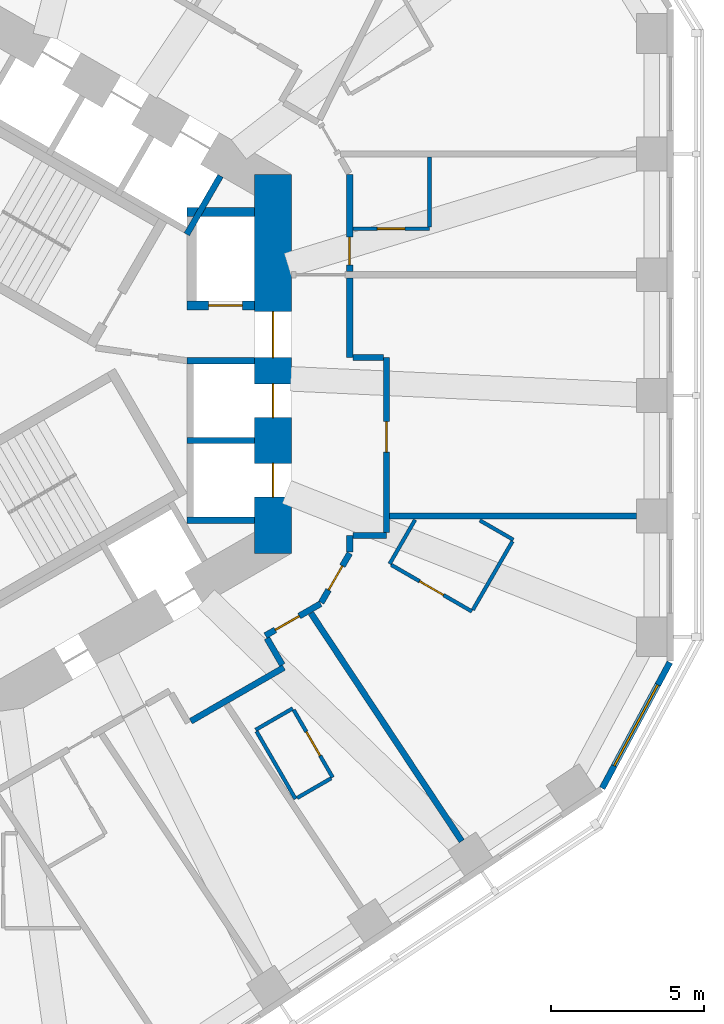
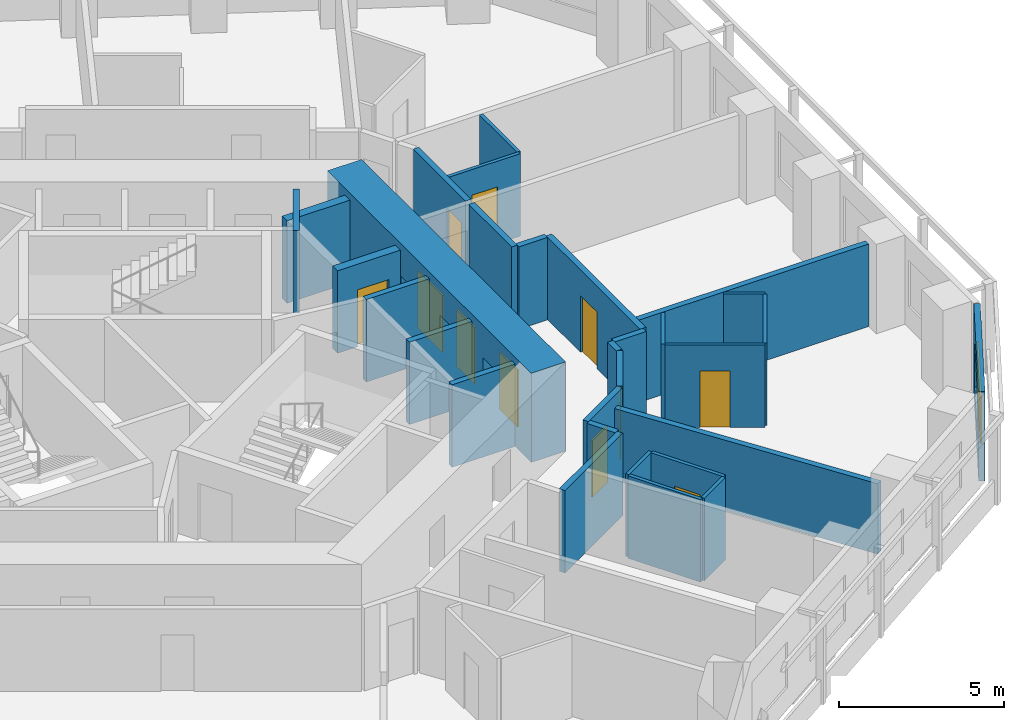
# One storey, part 6 of 12: 30 walls, 11 doors, 1 window, 12 openings.
"""IFC4 building model written with IfcOpenShell, lengths in metres."""

from ifc_helpers import new_model, si_unit, direction, frame, frame_2d, origin, place, context, subcontext, project, spatial, rectangle, extrude, material, layer, layer_set, type_object, element, fill, save


model = new_model("IFC4")

# Units and contexts
model_context = context("Model", 3, precision=1e-05, world=origin(), true_north=direction((0.0, 1.0)))
body_context = subcontext(model_context, "Body", "Model", "MODEL_VIEW")
ifc_project = project(units=[si_unit("LENGTHUNIT", "METRE"), si_unit("AREAUNIT", "SQUARE_METRE"), si_unit("VOLUMEUNIT", "CUBIC_METRE"), si_unit("PLANEANGLEUNIT", "RADIAN"), si_unit("MASSUNIT", "GRAM", prefix="KILO")], contexts=[model_context])

# Site, building, storey
site_placement = place(None, origin())
site = spatial("IfcSite", under=ifc_project, at=site_placement, CompositionType="ELEMENT")
building_placement = place(site_placement, origin())
building = spatial("IfcBuilding", under=site, at=building_placement, Name="Vanh Sen Convention Tower", CompositionType="ELEMENT")
storey_placement = place(building_placement, frame((0.0, 0.0, 113.300048828125)))
storey = spatial("IfcBuildingStorey", under=building, at=storey_placement, Name="L27", CompositionType="ELEMENT", Elevation=113.300048828125)

# Wall
ifc_material_1 = material(Name="Moisture-resistant gypsum board on steel studs", Category="steel")
ifc_layer_1 = layer(ifc_material_1, 0.1201171875)
ifc_layer_set_1 = layer_set([ifc_layer_1], Name="Moisture-resistant gypsum board on steel studs")
wall_type_1 = type_object("IfcWallType", Name="Bathroom partition 120", PredefinedType="PARTITIONING", material=ifc_layer_set_1)
wall_1_placement = place(storey_placement, frame((9.532470703125, -11.93359375, 0.0), z_axis=(0.0, 0.0, 1.0), x_axis=(0.866034573852, 0.49998411664, 0.0)))
element("IfcWall", 1, at=wall_1_placement, inside=storey, type_object=wall_type_1, Name="Bathroom partition 120", PredefinedType="PARTITIONING", context=body_context, shape_type="SweptSolid", body=[
    extrude(rectangle(XDim=1.39990234375, YDim=0.1201171875, at=frame_2d((0.699951171875, 0.0))), origin(), (0.0, 0.0, 1.0), 3.050048828125),
])

# Wall, opening, door
wall_2_placement = place(storey_placement, frame((10.77490234375, -11.28564453125, 0.0), z_axis=(0.0, 0.0, 1.0), x_axis=(0.500046963369, -0.865998287773, 0.0)))
wall_2 = element("IfcWall", 2, at=wall_2_placement, inside=storey, type_object=wall_type_1, Name="Bathroom partition 120", PredefinedType="PARTITIONING", context=body_context, shape_type="SweptSolid", body=[
    extrude(rectangle(XDim=2.539794921875, YDim=0.1201171875, at=frame_2d((1.27001953125, 0.0))), origin(), (0.0, 0.0, 1.0), 3.050048828125),
])
opening_1_placement = place(wall_2_placement, frame((0.820068359375, 0.0, 0.0)))
opening_1 = element("IfcOpeningElement", 3, at=opening_1_placement, cuts=wall_2, Name="Opening D27130", PredefinedType="OPENING", context=body_context, shape_type="SweptSolid", body=[
    extrude(rectangle(XDim=0.89990234375, YDim=2.10009765625, at=frame_2d((0.449951171875, 1.050048828125))), frame((0.0, 0.070068359375, 0.0), z_axis=(0.0, -1.0, 0.0), x_axis=(1.0, 0.0, 0.0)), (0.0, 0.0, 1.0), 0.14013671875),
])
ifc_material_2 = material(Name="Laminate door in steel frame", Category="steel")
door_type_1 = type_object("IfcDoorType", Name="En-suite door 900", OperationType="SINGLE_SWING_LEFT", PredefinedType="DOOR", material=ifc_material_2)
door_1_placement = place(opening_1_placement, origin())
door_1 = element("IfcDoor", 4, at=door_1_placement, inside=storey, type_object=door_type_1, Name="En-suite door D27130", OperationType="SINGLE_SWING_LEFT", OverallHeight=2.10009765625, OverallWidth=0.89990234375, PredefinedType="DOOR", context=body_context, shape_type="SweptSolid", body=[
    extrude(rectangle(XDim=0.89990234375, YDim=2.10009765625, at=frame_2d((0.449951171875, 1.050048828125))), frame((0.0, 0.02490234375, 0.0), z_axis=(0.0, -1.0, 0.0), x_axis=(1.0, 0.0, 0.0)), (0.0, 0.0, 1.0), 0.050048828125),
])
fill(opening_1, door_1)

# Walls
wall_3_placement = place(storey_placement, frame((10.83251953125, -14.185302734375, 0.0), z_axis=(0.0, 0.0, 1.0), x_axis=(-0.500005339912, 0.866022320763, 0.0)))
element("IfcWall", 5, at=wall_3_placement, inside=storey, type_object=wall_type_1, Name="Bathroom partition 120", PredefinedType="PARTITIONING", context=body_context, shape_type="SweptSolid", body=[
    extrude(rectangle(XDim=2.5400390625, YDim=0.1201171875, at=frame_2d((1.27001953125, 0.0))), origin(), (0.0, 0.0, 1.0), 3.050048828125),
])
wall_4_placement = place(storey_placement, frame((11.992919921875, -13.51513671875, 0.0), z_axis=(0.0, 0.0, 1.0), x_axis=(-0.865956862152, -0.500118698802, 0.0)))
element("IfcWall", 6, at=wall_4_placement, inside=storey, type_object=wall_type_1, Name="Bathroom partition 120", PredefinedType="PARTITIONING", context=body_context, shape_type="SweptSolid", body=[
    extrude(rectangle(XDim=1.280029296875, YDim=0.1201171875, at=frame_2d((0.64013671875, 0.0))), origin(), (0.0, 0.0, 1.0), 3.050048828125),
])
wall_5_placement = place(storey_placement, frame((13.90087890625, -6.5244140625, 0.0), z_axis=(0.0, 0.0, 1.0), x_axis=(0.499964162598, 0.86604609353, 0.0)))
element("IfcWall", 7, at=wall_5_placement, inside=storey, type_object=wall_type_1, Name="Bathroom partition 120", PredefinedType="PARTITIONING", context=body_context, shape_type="SweptSolid", body=[
    extrude(rectangle(XDim=1.6611328125, YDim=0.1201171875, at=frame_2d((0.83056640625, 0.0))), origin(), (0.0, 0.0, 1.0), 3.050048828125),
])

# Wall, opening, door
wall_6_placement = place(storey_placement, frame((15.199951171875, 4.404541015625, 0.0), z_axis=(0.0, 0.0, 1.0), x_axis=(-1.0, 0.0, 0.0)))
wall_6 = element("IfcWall", 8, at=wall_6_placement, inside=storey, type_object=wall_type_1, Name="Bathroom partition 120", PredefinedType="PARTITIONING", context=body_context, shape_type="SweptSolid", body=[
    extrude(rectangle(XDim=2.5, YDim=0.1201171875, at=frame_2d((1.25, 0.0))), origin(), (0.0, 0.0, 1.0), 3.050048828125),
])
opening_2_placement = place(wall_6_placement, frame((0.800048828125, 0.0, 0.0)))
opening_2 = element("IfcOpeningElement", 9, at=opening_2_placement, cuts=wall_6, Name="Opening D27103", PredefinedType="OPENING", context=body_context, shape_type="SweptSolid", body=[
    extrude(rectangle(XDim=0.89990234375, YDim=2.10009765625, at=frame_2d((0.449951171875, 1.050048828125))), frame((0.0, 0.070068359375, 0.0), z_axis=(0.0, -1.0, 0.0), x_axis=(1.0, 0.0, 0.0)), (0.0, 0.0, 1.0), 0.14013671875),
])
door_2_placement = place(opening_2_placement, origin())
door_2 = element("IfcDoor", 10, at=door_2_placement, inside=storey, type_object=door_type_1, Name="En-suite door D27103", OperationType="SINGLE_SWING_LEFT", OverallHeight=2.10009765625, OverallWidth=0.89990234375, PredefinedType="DOOR", context=body_context, shape_type="SweptSolid", body=[
    extrude(rectangle(XDim=0.89990234375, YDim=2.10009765625, at=frame_2d((0.449951171875, 1.050048828125))), frame((0.0, 0.02490234375, 0.0), z_axis=(0.0, -1.0, 0.0), x_axis=(1.0, 0.0, 0.0)), (0.0, 0.0, 1.0), 0.050048828125),
])
fill(opening_2, door_2)

# Wall
wall_7_placement = place(storey_placement, frame((15.199951171875, 6.739013671875, 0.0), z_axis=(0.0, 0.0, 1.0), x_axis=(0.0, -1.0, 0.0)))
element("IfcWall", 11, at=wall_7_placement, inside=storey, type_object=wall_type_1, Name="Bathroom partition 120", PredefinedType="PARTITIONING", context=body_context, shape_type="SweptSolid", body=[
    extrude(rectangle(XDim=2.2744140625, YDim=0.1201171875, at=frame_2d((1.13720703125, 0.0))), origin(), (0.0, 0.0, 1.0), 3.050048828125),
])

# Wall, opening, door
wall_8_placement = place(storey_placement, frame((16.58544921875, -8.074462890625, 0.0), z_axis=(0.0, 0.0, 1.0), x_axis=(-0.86601037836, 0.500026023896, 0.0)))
wall_8 = element("IfcWall", 12, at=wall_8_placement, inside=storey, type_object=wall_type_1, Name="Bathroom partition 120", PredefinedType="PARTITIONING", context=body_context, shape_type="SweptSolid", body=[
    extrude(rectangle(XDim=3.039794921875, YDim=0.1201171875, at=frame_2d((1.52001953125, 0.0))), origin(), (0.0, 0.0, 1.0), 3.050048828125),
])
opening_3_placement = place(wall_8_placement, frame((1.070068359375, 0.0, 0.0)))
opening_3 = element("IfcOpeningElement", 13, at=opening_3_placement, cuts=wall_8, Name="Opening D27132", PredefinedType="OPENING", context=body_context, shape_type="SweptSolid", body=[
    extrude(rectangle(XDim=0.89990234375, YDim=2.10009765625, at=frame_2d((0.449951171875, 1.050048828125))), frame((0.0, 0.070068359375, 0.0), z_axis=(0.0, -1.0, 0.0), x_axis=(1.0, 0.0, 0.0)), (0.0, 0.0, 1.0), 0.14013671875),
])
door_3_placement = place(opening_3_placement, origin())
door_3 = element("IfcDoor", 14, at=door_3_placement, inside=storey, type_object=door_type_1, Name="En-suite door D27132", OperationType="SINGLE_SWING_LEFT", OverallHeight=2.10009765625, OverallWidth=0.89990234375, PredefinedType="DOOR", context=body_context, shape_type="SweptSolid", body=[
    extrude(rectangle(XDim=0.89990234375, YDim=2.10009765625, at=frame_2d((0.449951171875, 1.050048828125))), frame((0.0, 0.02490234375, 0.0), z_axis=(0.0, -1.0, 0.0), x_axis=(1.0, 0.0, 0.0)), (0.0, 0.0, 1.0), 0.050048828125),
])
fill(opening_3, door_3)

# Walls
wall_9_placement = place(storey_placement, frame((16.84130859375, -5.1044921875, 0.0), z_axis=(0.0, 0.0, 1.0), x_axis=(0.865998956469, -0.500045805297, 0.0)))
element("IfcWall", 15, at=wall_9_placement, inside=storey, type_object=wall_type_1, Name="Bathroom partition 120", PredefinedType="PARTITIONING", context=body_context, shape_type="SweptSolid", body=[
    extrude(rectangle(XDim=1.263671875, YDim=0.1201171875, at=frame_2d((0.6318359375, 0.0))), origin(), (0.0, 0.0, 1.0), 3.050048828125),
])
wall_10_placement = place(storey_placement, frame((17.905517578125, -5.788330078125, 0.0), z_axis=(0.0, 0.0, 1.0), x_axis=(-0.500047388771, -0.865998042136, 0.0)))
element("IfcWall", 16, at=wall_10_placement, inside=storey, type_object=wall_type_1, Name="Bathroom partition 120", PredefinedType="PARTITIONING", context=body_context, shape_type="SweptSolid", body=[
    extrude(rectangle(XDim=2.579833984375, YDim=0.1201171875, at=frame_2d((1.2900390625, 0.0))), origin(), (0.0, 0.0, 1.0), 3.050048828125),
])

# Wall, openings, doors
ifc_material_3 = material(Name="Concrete C80/95", Category="concrete")
ifc_layer_2 = layer(ifc_material_3, 1.199951171875)
ifc_layer_set_2 = layer_set([ifc_layer_2], Name="Concrete C80/95")
wall_type_2 = type_object("IfcWallType", Name="Core outer wall 1200 C80/95", PredefinedType="SHEAR", material=ifc_layer_set_2)
wall_11_placement = place(storey_placement, frame((10.10009765625, -6.177490234375, 0.0), z_axis=(0.0, 0.0, 1.0), x_axis=(0.0, 1.0, 0.0)))
wall_11 = element("IfcWall", 17, at=wall_11_placement, inside=storey, type_object=wall_type_2, Name="Core wall face E L27", PredefinedType="SHEAR", context=body_context, shape_type="SweptSolid", body=[
    extrude(rectangle(XDim=12.35498046875, YDim=1.199951171875, at=frame_2d((6.177490234375, 0.0))), origin(), (0.0, 0.0, 1.0), 3.300048828125),
])
opening_4_placement = place(wall_11_placement, frame((6.377685546875, 0.0, 0.0)))
opening_4 = element("IfcOpeningElement", 18, at=opening_4_placement, cuts=wall_11, Name="Opening D27001", PredefinedType="OPENING", context=body_context, shape_type="SweptSolid", body=[
    extrude(rectangle(XDim=1.5, YDim=2.10009765625, at=frame_2d((0.75, 1.050048828125))), frame((0.0, 0.60986328125, 0.0), z_axis=(0.0, -1.0, 0.0), x_axis=(1.0, 0.0, 0.0)), (0.0, 0.0, 1.0), 1.219970703125),
])
opening_5_placement = place(wall_11_placement, frame((1.82763671875, 0.0, 0.0)))
opening_5 = element("IfcOpeningElement", 19, at=opening_5_placement, cuts=wall_11, Name="Opening LD-LR1", PredefinedType="OPENING", context=body_context, shape_type="SweptSolid", body=[
    extrude(rectangle(XDim=1.10009765625, YDim=2.10009765625, at=frame_2d((0.550048828125, 1.050048828125))), frame((0.0, 0.60986328125, 0.0), z_axis=(0.0, -1.0, 0.0), x_axis=(1.0, 0.0, 0.0)), (0.0, 0.0, 1.0), 1.219970703125),
])
opening_6_placement = place(wall_11_placement, frame((4.427490234375, 0.0, 0.0)))
opening_6 = element("IfcOpeningElement", 20, at=opening_6_placement, cuts=wall_11, Name="Opening LD-LR2", PredefinedType="OPENING", context=body_context, shape_type="SweptSolid", body=[
    extrude(rectangle(XDim=1.10009765625, YDim=2.10009765625, at=frame_2d((0.550048828125, 1.050048828125))), frame((0.0, 0.60986328125, 0.0), z_axis=(0.0, -1.0, 0.0), x_axis=(1.0, 0.0, 0.0)), (0.0, 0.0, 1.0), 1.219970703125),
])
ifc_material_4 = material(Name="Stainless steel", Category="steel")
door_type_2 = type_object("IfcDoorType", Name="Lift landing door 1100", OperationType="DOUBLE_DOOR_SLIDING", PredefinedType="DOOR", material=ifc_material_4)
door_4_placement = place(opening_5_placement, origin())
door_4 = element("IfcDoor", 21, at=door_4_placement, inside=storey, type_object=door_type_2, Name="Lift LR1 landing door LD-LR1", OperationType="DOUBLE_DOOR_SLIDING", OverallHeight=2.10009765625, OverallWidth=1.10009765625, PredefinedType="DOOR", context=body_context, shape_type="SweptSolid", body=[
    extrude(rectangle(XDim=1.10009765625, YDim=2.10009765625, at=frame_2d((0.550048828125, 1.050048828125))), frame((0.0, 0.02490234375, 0.0), z_axis=(0.0, -1.0, 0.0), x_axis=(1.0, 0.0, 0.0)), (0.0, 0.0, 1.0), 0.050048828125),
])
fill(opening_5, door_4)
door_5_placement = place(opening_6_placement, origin())
door_5 = element("IfcDoor", 22, at=door_5_placement, inside=storey, type_object=door_type_2, Name="Lift LR2 landing door LD-LR2", OperationType="DOUBLE_DOOR_SLIDING", OverallHeight=2.10009765625, OverallWidth=1.10009765625, PredefinedType="DOOR", context=body_context, shape_type="SweptSolid", body=[
    extrude(rectangle(XDim=1.10009765625, YDim=2.10009765625, at=frame_2d((0.550048828125, 1.050048828125))), frame((0.0, 0.02490234375, 0.0), z_axis=(0.0, -1.0, 0.0), x_axis=(1.0, 0.0, 0.0)), (0.0, 0.0, 1.0), 0.050048828125),
])
fill(opening_6, door_5)
ifc_material_5 = material(Name="Steel S355", Category="steel")
door_type_3 = type_object("IfcDoorType", Name="Stair lobby door 1500", OperationType="DOUBLE_DOOR_SINGLE_SWING", PredefinedType="DOOR", material=ifc_material_5)
door_6_placement = place(opening_4_placement, origin())
door_6 = element("IfcDoor", 23, at=door_6_placement, inside=storey, type_object=door_type_3, Name="Stair lobby door D27001", OperationType="DOUBLE_DOOR_SINGLE_SWING", OverallHeight=2.10009765625, OverallWidth=1.5, PredefinedType="DOOR", context=body_context, shape_type="SweptSolid", body=[
    extrude(rectangle(XDim=1.5, YDim=2.10009765625, at=frame_2d((0.75, 1.050048828125))), frame((0.0, 0.02490234375, 0.0), z_axis=(0.0, -1.0, 0.0), x_axis=(1.0, 0.0, 0.0)), (0.0, 0.0, 1.0), 0.050048828125),
])
fill(opening_4, door_6)

# Wall
ifc_material_6 = material(Name="Gypsum board on steel studs with mineral wool", Category="steel")
ifc_layer_3 = layer(ifc_material_6, 0.199951171875)
ifc_layer_set_3 = layer_set([ifc_layer_3], Name="Gypsum board on steel studs with mineral wool")
wall_type_3 = type_object("IfcWallType", Name="Corridor partition wall 200", PredefinedType="PARTITIONING", material=ifc_layer_set_3)
wall_12_placement = place(storey_placement, frame((7.419189453125, -11.652587890625, 0.0), z_axis=(0.0, 0.0, 1.0), x_axis=(0.866038154057, 0.49997791523, 0.0)))
element("IfcWall", 24, at=wall_12_placement, inside=storey, type_object=wall_type_3, Name="Corridor partition wall 200", PredefinedType="PARTITIONING", context=body_context, shape_type="SweptSolid", body=[
    extrude(rectangle(XDim=3.502197265625, YDim=0.199951171875, at=frame_2d((1.7509765625, 0.0))), origin(), (0.0, 0.0, 1.0), 3.050048828125),
])

# Wall, opening, door
wall_13_placement = place(storey_placement, frame((9.8515625, -8.861328125, 0.0), z_axis=(0.0, 0.0, 1.0), x_axis=(0.866013291437, 0.500020978615, 0.0)))
wall_13 = element("IfcWall", 25, at=wall_13_placement, inside=storey, type_object=wall_type_3, Name="Corridor partition wall 200", PredefinedType="PARTITIONING", context=body_context, shape_type="SweptSolid", body=[
    extrude(rectangle(XDim=2.07666015625, YDim=0.199951171875, at=frame_2d((1.038330078125, 0.0))), origin(), (0.0, 0.0, 1.0), 3.050048828125),
])
opening_7_placement = place(wall_13_placement, frame((0.37158203125, 0.0, 0.0)))
opening_7 = element("IfcOpeningElement", 26, at=opening_7_placement, cuts=wall_13, Name="Opening D27129", PredefinedType="OPENING", context=body_context, shape_type="SweptSolid", body=[
    extrude(rectangle(XDim=0.89990234375, YDim=2.10009765625, at=frame_2d((0.449951171875, 1.050048828125))), frame((0.0, 0.10986328125, 0.0), z_axis=(0.0, -1.0, 0.0), x_axis=(1.0, 0.0, 0.0)), (0.0, 0.0, 1.0), 0.219970703125),
])
ifc_material_7 = material(Name="Timber fire door in steel frame", Category="steel")
door_type_4 = type_object("IfcDoorType", Name="Guest room door 900", OperationType="SINGLE_SWING_LEFT", PredefinedType="DOOR", material=ifc_material_7)
door_7_placement = place(opening_7_placement, origin())
door_7 = element("IfcDoor", 27, at=door_7_placement, inside=storey, type_object=door_type_4, Name="Hotel guest room door D27129", OperationType="SINGLE_SWING_LEFT", OverallHeight=2.10009765625, OverallWidth=0.89990234375, PredefinedType="DOOR", context=body_context, shape_type="SweptSolid", body=[
    extrude(rectangle(XDim=0.89990234375, YDim=2.10009765625, at=frame_2d((0.449951171875, 1.050048828125))), frame((0.0, 0.02490234375, 0.0), z_axis=(0.0, -1.0, 0.0), x_axis=(1.0, 0.0, 0.0)), (0.0, 0.0, 1.0), 0.050048828125),
])
fill(opening_7, door_7)

# Wall
wall_14_placement = place(storey_placement, frame((10.402099609375, -9.81494140625, 0.0), z_axis=(0.0, 0.0, 1.0), x_axis=(-0.499968756647, 0.866043441391, 0.0)))
element("IfcWall", 28, at=wall_14_placement, inside=storey, type_object=wall_type_3, Name="Corridor partition wall 200", PredefinedType="PARTITIONING", context=body_context, shape_type="SweptSolid", body=[
    extrude(rectangle(XDim=1.0009765625, YDim=0.199951171875, at=frame_2d((0.50048828125, 0.0))), origin(), (0.0, 0.0, 1.0), 3.050048828125),
])

# Wall, opening, door
wall_15_placement = place(storey_placement, frame((11.669921875, -7.788330078125, 0.0), z_axis=(0.0, 0.0, 1.0), x_axis=(0.500063286585, 0.865988862174, 0.0)))
wall_15 = element("IfcWall", 29, at=wall_15_placement, inside=storey, type_object=wall_type_3, Name="Corridor partition wall 200", PredefinedType="PARTITIONING", context=body_context, shape_type="SweptSolid", body=[
    extrude(rectangle(XDim=1.860107421875, YDim=0.199951171875, at=frame_2d((0.93017578125, 0.0))), origin(), (0.0, 0.0, 1.0), 3.050048828125),
])
opening_8_placement = place(wall_15_placement, frame((0.47998046875, 0.0, 0.0)))
opening_8 = element("IfcOpeningElement", 30, at=opening_8_placement, cuts=wall_15, Name="Opening D27131", PredefinedType="OPENING", context=body_context, shape_type="SweptSolid", body=[
    extrude(rectangle(XDim=0.89990234375, YDim=2.10009765625, at=frame_2d((0.449951171875, 1.050048828125))), frame((0.0, 0.10986328125, 0.0), z_axis=(0.0, -1.0, 0.0), x_axis=(1.0, 0.0, 0.0)), (0.0, 0.0, 1.0), 0.219970703125),
])
door_8_placement = place(opening_8_placement, origin())
door_8 = element("IfcDoor", 31, at=door_8_placement, inside=storey, type_object=door_type_4, Name="Hotel guest room door D27131", OperationType="SINGLE_SWING_LEFT", OverallHeight=2.10009765625, OverallWidth=0.89990234375, PredefinedType="DOOR", context=body_context, shape_type="SweptSolid", body=[
    extrude(rectangle(XDim=0.89990234375, YDim=2.10009765625, at=frame_2d((0.449951171875, 1.050048828125))), frame((0.0, 0.02490234375, 0.0), z_axis=(0.0, -1.0, 0.0), x_axis=(1.0, 0.0, 0.0)), (0.0, 0.0, 1.0), 0.050048828125),
])
fill(opening_8, door_8)

# Walls
wall_16_placement = place(storey_placement, frame((12.60009765625, -6.1376953125, 0.0), z_axis=(0.0, 0.0, 1.0), x_axis=(0.0, 1.0, 0.0)))
element("IfcWall", 32, at=wall_16_placement, inside=storey, type_object=wall_type_3, Name="Corridor partition wall 200", PredefinedType="PARTITIONING", context=body_context, shape_type="SweptSolid", body=[
    extrude(rectangle(XDim=0.53662109375, YDim=0.199951171875, at=frame_2d((0.268310546875, 0.0))), origin(), (0.0, 0.0, 1.0), 3.050048828125),
])
wall_17_placement = place(storey_placement, frame((12.60009765625, 0.200927734375, 0.0), z_axis=(0.0, 0.0, 1.0), x_axis=(0.0, 1.0, 0.0)))
element("IfcWall", 33, at=wall_17_placement, inside=storey, type_object=wall_type_3, Name="Corridor partition wall 200", PredefinedType="PARTITIONING", context=body_context, shape_type="SweptSolid", body=[
    extrude(rectangle(XDim=2.603515625, YDim=0.199951171875, at=frame_2d((1.3017578125, 0.0))), origin(), (0.0, 0.0, 1.0), 3.050048828125),
])

# Wall, opening, door
wall_18_placement = place(storey_placement, frame((12.60009765625, 3.00439453125, 0.0), z_axis=(0.0, 0.0, 1.0), x_axis=(0.0, 1.0, 0.0)))
wall_18 = element("IfcWall", 34, at=wall_18_placement, inside=storey, type_object=wall_type_3, Name="Corridor partition wall 200", PredefinedType="PARTITIONING", context=body_context, shape_type="SweptSolid", body=[
    extrude(rectangle(XDim=3.173095703125, YDim=0.199951171875, at=frame_2d((1.58642578125, 0.0))), origin(), (0.0, 0.0, 1.0), 3.050048828125),
])
opening_9_placement = place(wall_18_placement, frame((0.22509765625, 0.0, 0.0)))
opening_9 = element("IfcOpeningElement", 35, at=opening_9_placement, cuts=wall_18, Name="Opening D27102", PredefinedType="OPENING", context=body_context, shape_type="SweptSolid", body=[
    extrude(rectangle(XDim=0.89990234375, YDim=2.10009765625, at=frame_2d((0.449951171875, 1.050048828125))), frame((0.0, 0.10986328125, 0.0), z_axis=(0.0, -1.0, 0.0), x_axis=(1.0, 0.0, 0.0)), (0.0, 0.0, 1.0), 0.219970703125),
])
door_9_placement = place(opening_9_placement, origin())
door_9 = element("IfcDoor", 36, at=door_9_placement, inside=storey, type_object=door_type_4, Name="Hotel guest room door D27102", OperationType="SINGLE_SWING_LEFT", OverallHeight=2.10009765625, OverallWidth=0.89990234375, PredefinedType="DOOR", context=body_context, shape_type="SweptSolid", body=[
    extrude(rectangle(XDim=0.89990234375, YDim=2.10009765625, at=frame_2d((0.449951171875, 1.050048828125))), frame((0.0, 0.02490234375, 0.0), z_axis=(0.0, -1.0, 0.0), x_axis=(1.0, 0.0, 0.0)), (0.0, 0.0, 1.0), 0.050048828125),
])
fill(opening_9, door_9)

# Walls
wall_19_placement = place(storey_placement, frame((12.699951171875, -5.60107421875, 0.0), z_axis=(0.0, 0.0, 1.0), x_axis=(1.0, 0.0, 0.0)))
element("IfcWall", 37, at=wall_19_placement, inside=storey, type_object=wall_type_3, Name="Corridor partition wall 200", PredefinedType="PARTITIONING", context=body_context, shape_type="SweptSolid", body=[
    extrude(rectangle(XDim=1.10107421875, YDim=0.199951171875, at=frame_2d((0.550537109375, 0.0))), origin(), (0.0, 0.0, 1.0), 3.050048828125),
])
wall_20_placement = place(storey_placement, frame((13.700927734375, 0.200927734375, 0.0), z_axis=(0.0, 0.0, 1.0), x_axis=(-1.0, 0.0, 0.0)))
element("IfcWall", 38, at=wall_20_placement, inside=storey, type_object=wall_type_3, Name="Corridor partition wall 200", PredefinedType="PARTITIONING", context=body_context, shape_type="SweptSolid", body=[
    extrude(rectangle(XDim=1.0009765625, YDim=0.199951171875, at=frame_2d((0.50048828125, 0.0))), origin(), (0.0, 0.0, 1.0), 3.050048828125),
])

# Wall, opening, door
wall_21_placement = place(storey_placement, frame((13.801025390625, -5.5009765625, 0.0), z_axis=(0.0, 0.0, 1.0), x_axis=(0.0, 1.0, 0.0)))
wall_21 = element("IfcWall", 39, at=wall_21_placement, inside=storey, type_object=wall_type_3, Name="Corridor partition wall 200", PredefinedType="PARTITIONING", context=body_context, shape_type="SweptSolid", body=[
    extrude(rectangle(XDim=5.701904296875, YDim=0.199951171875, at=frame_2d((2.85107421875, 0.0))), origin(), (0.0, 0.0, 1.0), 3.050048828125),
])
opening_10_placement = place(wall_21_placement, frame((2.619140625, 0.0, 0.0)))
opening_10 = element("IfcOpeningElement", 40, at=opening_10_placement, cuts=wall_21, Name="Opening D27101", PredefinedType="OPENING", context=body_context, shape_type="SweptSolid", body=[
    extrude(rectangle(XDim=1.0, YDim=2.10009765625, at=frame_2d((0.5, 1.050048828125))), frame((0.0, 0.10986328125, 0.0), z_axis=(0.0, -1.0, 0.0), x_axis=(1.0, 0.0, 0.0)), (0.0, 0.0, 1.0), 0.219970703125),
])
door_type_5 = type_object("IfcDoorType", Name="Floor room door 1000", OperationType="SINGLE_SWING_LEFT", PredefinedType="DOOR", material=ifc_material_7)
door_10_placement = place(opening_10_placement, origin())
door_10 = element("IfcDoor", 41, at=door_10_placement, inside=storey, type_object=door_type_5, Name="Meeting and amenity room door D27101", OperationType="SINGLE_SWING_LEFT", OverallHeight=2.10009765625, OverallWidth=1.0, PredefinedType="DOOR", context=body_context, shape_type="SweptSolid", body=[
    extrude(rectangle(XDim=1.0, YDim=2.10009765625, at=frame_2d((0.5, 1.050048828125))), frame((0.0, 0.02490234375, 0.0), z_axis=(0.0, -1.0, 0.0), x_axis=(1.0, 0.0, 0.0)), (0.0, 0.0, 1.0), 0.050048828125),
])
fill(opening_10, door_10)

# Wall, opening, window
ifc_material_8 = material(Name="Insulated lightweight infill wall")
ifc_layer_4 = layer(ifc_material_8, 0.199951171875)
ifc_layer_set_4 = layer_set([ifc_layer_4], Name="Insulated lightweight infill wall")
wall_type_4 = type_object("IfcWallType", Name="External wall 200", PredefinedType="STANDARD", material=ifc_layer_set_4)
wall_22_placement = place(storey_placement, frame((20.83251953125, -13.838623046875, 0.0), z_axis=(0.0, 0.0, 1.0), x_axis=(0.473321668581, 0.880889662813, 0.0)))
wall_22 = element("IfcWall", 42, at=wall_22_placement, inside=storey, type_object=wall_type_4, Name="External wall CH6 L27", PredefinedType="STANDARD", context=body_context, shape_type="SweptSolid", body=[
    extrude(rectangle(XDim=4.65966796875, YDim=0.199951171875, at=frame_2d((2.329833984375, 0.0))), origin(), (0.0, 0.0, 1.0), 3.300048828125),
])
opening_11_placement = place(wall_22_placement, frame((0.829833984375, 0.0, 0.800048828125)))
opening_11 = element("IfcOpeningElement", 43, at=opening_11_placement, cuts=wall_22, Name="Opening WH2-CH61", PredefinedType="OPENING", context=body_context, shape_type="SweptSolid", body=[
    extrude(rectangle(XDim=3.0, YDim=1.699951171875, at=frame_2d((1.5, 0.85009765625))), frame((0.0, 0.10986328125, 0.0), z_axis=(0.0, -1.0, 0.0), x_axis=(1.0, 0.0, 0.0)), (0.0, 0.0, 1.0), 0.219970703125),
])
ifc_material_9 = material(Name="Aluminium frame with clear low-emissivity glass", Category="aluminium")
window_type = type_object("IfcWindowType", Name="Hotel window 3000 x 1700", PartitioningType="SINGLE_PANEL", PredefinedType="WINDOW", material=ifc_material_9)
window_placement = place(opening_11_placement, origin())
window = element("IfcWindow", 44, at=window_placement, inside=storey, type_object=window_type, Name="Window WH2-CH61", OverallHeight=1.699951171875, OverallWidth=3.0, PartitioningType="SINGLE_PANEL", PredefinedType="WINDOW", context=body_context, shape_type="SweptSolid", body=[
    extrude(rectangle(XDim=3.0, YDim=1.699951171875, at=frame_2d((1.5, 0.85009765625))), frame((0.0, 0.030029296875, 0.0), z_axis=(0.0, -1.0, 0.0), x_axis=(1.0, 0.0, 0.0)), (0.0, 0.0, 1.0), 0.06005859375),
])
fill(opening_11, window)

# Wall, opening, door
ifc_material_10 = material(Name="Concrete C60/75", Category="concrete")
ifc_layer_5 = layer(ifc_material_10, 0.300048828125)
ifc_layer_set_5 = layer_set([ifc_layer_5], Name="Concrete C60/75")
wall_type_5 = type_object("IfcWallType", Name="Fire-fighting lift shaft wall 300", PredefinedType="SHEAR", material=ifc_layer_set_5)
wall_23_placement = place(storey_placement, frame((7.300048828125, 1.89990234375, 0.0), z_axis=(0.0, 0.0, 1.0), x_axis=(1.0, 0.0, 0.0)))
wall_23 = element("IfcWall", 45, at=wall_23_placement, inside=storey, type_object=wall_type_5, Name="Fire-fighting lift shaft wall L27", PredefinedType="SHEAR", context=body_context, shape_type="SweptSolid", body=[
    extrude(rectangle(XDim=2.199951171875, YDim=0.300048828125, at=frame_2d((1.10009765625, 0.0))), origin(), (0.0, 0.0, 1.0), 3.050048828125),
])
opening_12_placement = place(wall_23_placement, frame((0.699951171875, 0.0, 0.0)))
opening_12 = element("IfcOpeningElement", 46, at=opening_12_placement, cuts=wall_23, Name="Opening LD-FF1", PredefinedType="OPENING", context=body_context, shape_type="SweptSolid", body=[
    extrude(rectangle(XDim=1.10009765625, YDim=2.10009765625, at=frame_2d((0.550048828125, 1.050048828125))), frame((0.0, 0.159912109375, 0.0), z_axis=(0.0, -1.0, 0.0), x_axis=(1.0, 0.0, 0.0)), (0.0, 0.0, 1.0), 0.320068359375),
])
door_type_6 = type_object("IfcDoorType", Name="Fire-fighting lift landing door 1100", OperationType="DOUBLE_DOOR_SLIDING", PredefinedType="DOOR", material=ifc_material_4)
door_11_placement = place(opening_12_placement, origin())
door_11 = element("IfcDoor", 47, at=door_11_placement, inside=storey, type_object=door_type_6, Name="Lift FF1 landing door LD-FF1", OperationType="DOUBLE_DOOR_SLIDING", OverallHeight=2.10009765625, OverallWidth=1.10009765625, PredefinedType="DOOR", context=body_context, shape_type="SweptSolid", body=[
    extrude(rectangle(XDim=1.10009765625, YDim=2.10009765625, at=frame_2d((0.550048828125, 1.050048828125))), frame((0.0, 0.02490234375, 0.0), z_axis=(0.0, -1.0, 0.0), x_axis=(1.0, 0.0, 0.0)), (0.0, 0.0, 1.0), 0.050048828125),
])
fill(opening_12, door_11)

# Walls
wall_24_placement = place(storey_placement, frame((7.300048828125, 4.949951171875, 0.0), z_axis=(0.0, 0.0, 1.0), x_axis=(1.0, 0.0, 0.0)))
element("IfcWall", 48, at=wall_24_placement, inside=storey, type_object=wall_type_5, Name="Fire-fighting lift shaft wall L27", PredefinedType="SHEAR", context=body_context, shape_type="SweptSolid", body=[
    extrude(rectangle(XDim=2.199951171875, YDim=0.300048828125, at=frame_2d((1.10009765625, 0.0))), origin(), (0.0, 0.0, 1.0), 3.050048828125),
])
ifc_layer_6 = layer(ifc_material_6, 0.199951171875)
ifc_layer_set_6 = layer_set([ifc_layer_6], Name="Gypsum board on steel studs with mineral wool")
wall_type_6 = type_object("IfcWallType", Name="Hotel party wall 200", PredefinedType="PARTITIONING", material=ifc_layer_set_6)
wall_25_placement = place(storey_placement, frame((13.90087890625, -4.964599609375, 0.0), z_axis=(0.0, 0.0, 1.0), x_axis=(1.0, 0.0, 0.0)))
element("IfcWall", 49, at=wall_25_placement, inside=storey, type_object=wall_type_6, Name="Hotel party wall 200", PredefinedType="PARTITIONING", context=body_context, shape_type="SweptSolid", body=[
    extrude(rectangle(XDim=8.049072265625, YDim=0.199951171875, at=frame_2d((4.0244140625, 0.0))), origin(), (0.0, 0.0, 1.0), 3.050048828125),
])
wall_26_placement = place(storey_placement, frame((16.2548828125, -15.563720703125, 0.0), z_axis=(0.0, 0.0, 1.0), x_axis=(-0.55192208744, 0.833895682562, 0.0)))
element("IfcWall", 50, at=wall_26_placement, inside=storey, type_object=wall_type_6, Name="Hotel party wall 200", PredefinedType="PARTITIONING", context=body_context, shape_type="SweptSolid", body=[
    extrude(rectangle(XDim=8.912841796875, YDim=0.199951171875, at=frame_2d((4.45654296875, 0.0))), origin(), (0.0, 0.0, 1.0), 2.599853515625),
])
ifc_material_11 = material(Name="Concrete C40/50", Category="concrete")
ifc_layer_7 = layer(ifc_material_11, 0.199951171875)
ifc_layer_set_7 = layer_set([ifc_layer_7], Name="Concrete C40/50")
wall_type_7 = type_object("IfcWallType", Name="Lift shaft wall 200", PredefinedType="PARTITIONING", material=ifc_layer_set_7)
for number, where, z_axis, x_axis, name in (
    (51, (7.300048828125, -5.10009765625, 0.0), (0.0, 0.0, 1.0), (1.0, 0.0, 0.0), "Lift shaft wall L27"),
    (52, (7.300048828125, -2.5, 0.0), (0.0, 0.0, 1.0), (1.0, 0.0, 0.0), "Lift shaft wall L27"),
    (53, (7.300048828125, 0.10009765625, 0.0), (0.0, 0.0, 1.0), (1.0, 0.0, 0.0), "Lift shaft wall L27"),
    (54, (7.287353515625, 4.221923828125, 0.0), (0.0, 0.0, 1.0), (0.499946605688, 0.86605622881, 0.0), "Lift shaft wall L27"),
):
    element("IfcWall", number, at=place(storey_placement, frame(where, z_axis=z_axis, x_axis=x_axis)), inside=storey, type_object=wall_type_7, Name=name, PredefinedType="PARTITIONING", context=body_context, shape_type="SweptSolid", body=[
        extrude(rectangle(XDim=2.199951171875, YDim=0.199951171875, at=frame_2d((1.10009765625, 0.0))), origin(), (0.0, 0.0, 1.0), 3.050048828125),
    ])

save(model, "model.ifc")
